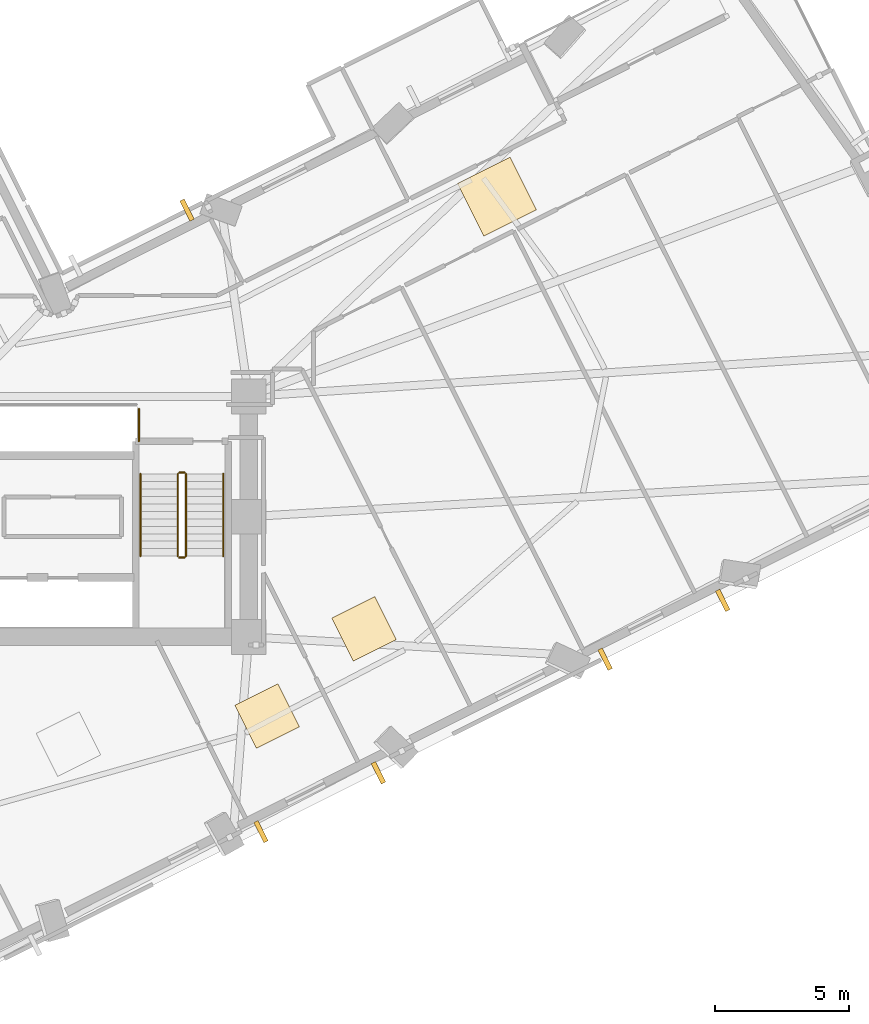
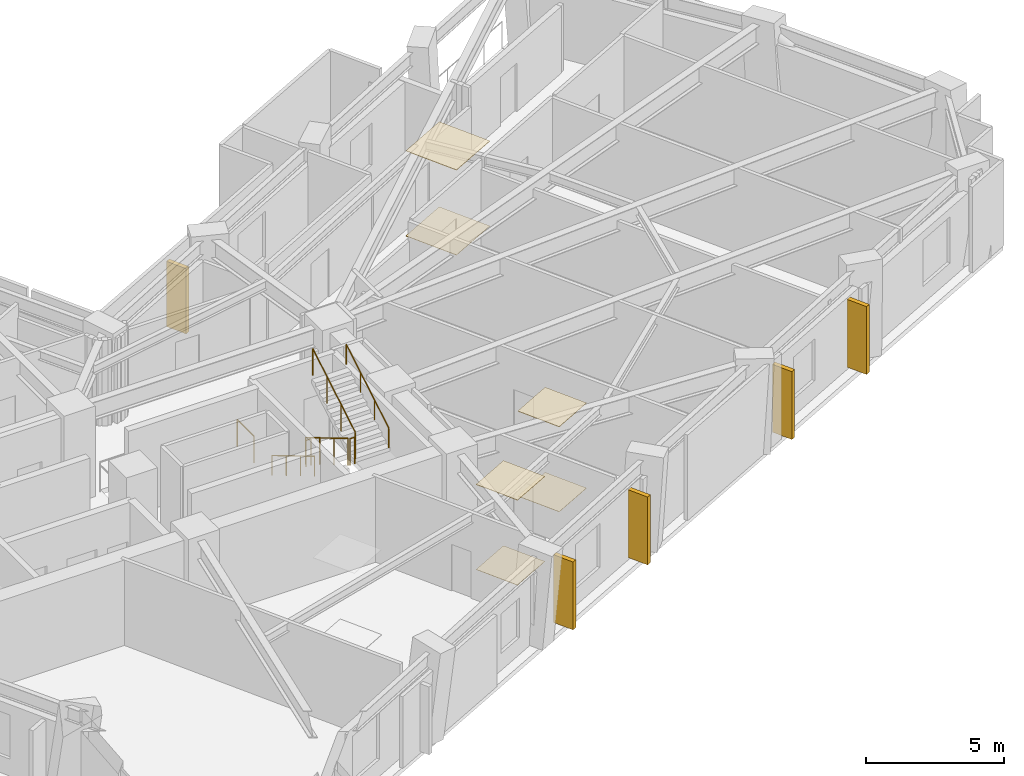
# One storey, part 14 of 16: 7 railings, 6 coverings, 5 shading devices.
"""IFC4 building model written with IfcOpenShell, lengths in metres."""

import ifcopenshell
import ifcopenshell.guid

model = None  # the IFC model being written
_history = None  # IfcOwnerHistory: only IFC2X3 demands one
_inside = {}  # id of a spatial element -> (the spatial element, [elements in it])
_under = {}  # id of a project, library or spatial element -> (it, [spatial elements below it])
_declared = {}  # id of a project -> (the project, [libraries it declares])
_typed = {}  # id of a type object -> (the type object, [elements of that type])
_made_of = {}  # id of a material, layer set ... -> (it, [elements and type objects made of it])


def new_model(schema):
    """Start an empty IFC model of exactly this schema.

    Asked for "IFC4X3", IfcOpenShell would pick the latest addendum, in which some entities
    have other attributes; the version numbers below select the first issue.
    IFC2X3 requires an IfcOwnerHistory on every rooted entity: one is made here for all.
    """
    global model, _history
    if schema == "IFC4X3":
        model = ifcopenshell.file(schema_version=(4, 3, 0, 0))
    else:
        model = ifcopenshell.file(schema=schema)
    _inside.clear()
    _under.clear()
    _declared.clear()
    _typed.clear()
    _made_of.clear()
    _history = None
    if model.schema == "IFC2X3":
        org = make("IfcOrganization", Name="unknown")
        user = make(
            "IfcPersonAndOrganization",
            ThePerson=make("IfcPerson", FamilyName="unknown"),
            TheOrganization=org,
        )
        app = make(
            "IfcApplication",
            ApplicationDeveloper=org,
            Version="unknown",
            ApplicationFullName="unknown",
            ApplicationIdentifier="unknown",
        )
        _history = make(
            "IfcOwnerHistory",
            OwningUser=user,
            OwningApplication=app,
            ChangeAction="ADDED",
            CreationDate=0,
        )
    return model


def make(cls, **values):
    """One entity of the class cls with the attributes given. An attribute that is None is left unset."""
    return model.create_entity(
        cls, **{name: value for name, value in values.items() if value is not None}
    )


def rooted(cls, **values):
    """An entity with a GlobalId (a new one), such as an element, a storey or a relation."""
    return make(cls, GlobalId=ifcopenshell.guid.new(), OwnerHistory=_history, **values)


def si_unit(unit_type, name, prefix=None):
    """IfcSIUnit, for example si_unit("LENGTHUNIT", "METRE", prefix="MILLI")."""
    return make("IfcSIUnit", UnitType=unit_type, Prefix=prefix, Name=name)


def assignment(units):
    """IfcUnitAssignment: the units of a project."""
    return None if units is None else make("IfcUnitAssignment", Units=units)


def point(xyz):
    """IfcCartesianPoint."""
    return None if xyz is None else make("IfcCartesianPoint", Coordinates=xyz)


def direction(xyz):
    """IfcDirection."""
    return None if xyz is None else make("IfcDirection", DirectionRatios=xyz)


def frame(location, z_axis=None, x_axis=None):
    """IfcAxis2Placement3D, a coordinate frame: its origin and axes. An axis left out is left unset."""
    return make(
        "IfcAxis2Placement3D",
        Location=point(location),
        Axis=direction(z_axis),
        RefDirection=direction(x_axis),
    )


def frame_2d(location, x_axis=None):
    """IfcAxis2Placement2D, a coordinate frame in the plane: its origin and x axis."""
    return make(
        "IfcAxis2Placement2D", Location=point(location), RefDirection=direction(x_axis)
    )


def origin():
    """The frame at (0, 0, 0) with its axes left unset."""
    return frame((0.0, 0.0, 0.0))


def origin_2d():
    """The frame at (0, 0) in the plane with its x axis left unset."""
    return frame_2d((0.0, 0.0))


def place(relative_to, where):
    """IfcLocalPlacement: puts the frame where relative to a parent placement (None: the world)."""
    return make(
        "IfcLocalPlacement", PlacementRelTo=relative_to, RelativePlacement=where
    )


def context(
    kind, dimensions, precision=None, world=None, true_north=None, identifier=None
):
    """IfcGeometricRepresentationContext, for example the 3D "Model" context."""
    return make(
        "IfcGeometricRepresentationContext",
        ContextIdentifier=identifier,
        ContextType=kind,
        CoordinateSpaceDimension=dimensions,
        Precision=precision,
        WorldCoordinateSystem=world,
        TrueNorth=true_north,
    )


def subcontext(parent, identifier, kind, view, scale=None):
    """IfcGeometricRepresentationSubContext, for example "Body" below "Model"."""
    return make(
        "IfcGeometricRepresentationSubContext",
        ContextIdentifier=identifier,
        ContextType=kind,
        ParentContext=parent,
        TargetScale=scale,
        TargetView=view,
    )


def project(units=None, contexts=None):
    """IfcProject with its units and contexts."""
    return rooted(
        "IfcProject",
        Name="project",
        RepresentationContexts=contexts,
        UnitsInContext=assignment(units),
    )


def spatial(cls, under=None, at=None, **own):
    """A site, building, storey or space (cls), placed at a placement, below another one or the project."""
    s = rooted(cls, ObjectPlacement=at, **own)
    if under is not None:
        _under.setdefault(under.id(), (under, []))[1].append(s)
    return s


def profile(cls, at=None, kind="AREA", **sizes):
    """A parametric profile (cls). Its sizes go by their IFC names, for example OverallWidth=200.0."""
    return make(cls, ProfileType=kind, Position=at, **sizes)


def rectangle(**sizes):
    """IfcRectangleProfileDef."""
    return profile("IfcRectangleProfileDef", **sizes)


def circle(**sizes):
    """IfcCircleProfileDef."""
    return profile("IfcCircleProfileDef", **sizes)


def extrude(swept, where, along, depth):
    """IfcExtrudedAreaSolid: the profile swept, set in the frame where, extruded along a direction by depth."""
    return make(
        "IfcExtrudedAreaSolid",
        SweptArea=swept,
        Position=where,
        ExtrudedDirection=direction(along),
        Depth=depth,
    )


def shape(context_of_items, identifier, shape_type, items):
    """IfcShapeRepresentation: the items that make up one representation, for example the "Body"."""
    return make(
        "IfcShapeRepresentation",
        ContextOfItems=context_of_items,
        RepresentationIdentifier=identifier,
        RepresentationType=shape_type,
        Items=items,
    )


def material(Name=None, Category=None):
    """IfcMaterial."""
    return make("IfcMaterial", Name=Name, Category=Category)


def layer(
    of_material, thickness, ventilated=None, Name=None, Category=None, Priority=None
):
    """IfcMaterialLayer: one layer of a wall or slab, of a material (None: an air gap)."""
    return make(
        "IfcMaterialLayer",
        Material=of_material,
        LayerThickness=thickness,
        IsVentilated=ventilated,
        Name=Name,
        Category=Category,
        Priority=Priority,
    )


def layer_set(layers, Name=None):
    """IfcMaterialLayerSet."""
    return make("IfcMaterialLayerSet", MaterialLayers=layers, LayerSetName=Name)


def made_of(thing, what):
    """Note that an element or type object is made of a material, layer set ...; save() writes the relation."""
    if what is not None:
        _made_of.setdefault(what.id(), (what, []))[1].append(thing)
    return thing


def type_object(cls, material=None, **own):
    """A type object (cls), such as IfcWallType, which elements share."""
    return made_of(rooted(cls, **own), material)


def element(
    cls,
    number,
    at=None,
    inside=None,
    cuts=None,
    type_object=None,
    material=None,
    context=None,
    identifier="Body",
    shape_type=None,
    held_by="IfcProductDefinitionShape",
    body=None,
    shapes=None,
    **own,
):
    """One element of the class cls, such as IfcWall. Its Tag is "e" and its number.

    at: its placement. inside: the storey or other place that contains it. cuts: it is an
    opening in that element (IfcRelVoidsElement). A single representation is given by context,
    identifier, shape_type and body (its items); several are given by shapes. held_by: the class
    of the entity that holds the representations. save() writes the other relations.
    """
    e = rooted(cls, Tag="e%d" % number, ObjectPlacement=at, **own)
    if body is not None:
        shapes = [shape(context, identifier, shape_type, body)]
    if shapes is not None:
        e.Representation = make(held_by, Representations=shapes)
    if inside is not None:
        _inside.setdefault(inside.id(), (inside, []))[1].append(e)
    if cuts is not None:
        rooted(
            "IfcRelVoidsElement", RelatingBuildingElement=cuts, RelatedOpeningElement=e
        )
    if type_object is not None:
        _typed.setdefault(type_object.id(), (type_object, []))[1].append(e)
    return made_of(e, material)


def aggregate(whole, parts):
    """IfcRelAggregates: a whole, such as a stair, and the parts it consists of."""
    return rooted("IfcRelAggregates", RelatingObject=whole, RelatedObjects=parts)


def save(model, path):
    """Write the relations noted so far, then the file.

    IfcRelAggregates (storeys below a building ...), IfcRelContainedInSpatialStructure (elements
    in a storey), IfcRelDefinesByType, IfcRelAssociatesMaterial and IfcRelDeclares: one each for
    every whole, place, type object, material and project.
    """
    for whole, parts in _under.values():
        aggregate(whole, parts)
    for where, things in _inside.values():
        rooted(
            "IfcRelContainedInSpatialStructure",
            RelatedElements=things,
            RelatingStructure=where,
        )
    for kind, things in _typed.values():
        rooted("IfcRelDefinesByType", RelatedObjects=things, RelatingType=kind)
    for what, things in _made_of.values():
        rooted("IfcRelAssociatesMaterial", RelatedObjects=things, RelatingMaterial=what)
    for by, libraries in _declared.values():
        rooted("IfcRelDeclares", RelatingContext=by, RelatedDefinitions=libraries)
    model.write(path)


model = new_model("IFC4")

# Units and contexts
model_context = context("Model", 3, precision=1e-05, world=origin(), true_north=direction((0.0, 1.0)))
body_context = subcontext(model_context, "Body", "Model", "MODEL_VIEW")
ifc_project = project(units=[si_unit("LENGTHUNIT", "METRE"), si_unit("AREAUNIT", "SQUARE_METRE"), si_unit("VOLUMEUNIT", "CUBIC_METRE"), si_unit("PLANEANGLEUNIT", "RADIAN"), si_unit("MASSUNIT", "GRAM", prefix="KILO")], contexts=[model_context])

# Site, building, storey
site_placement = place(None, origin())
site = spatial("IfcSite", under=ifc_project, at=site_placement, CompositionType="ELEMENT")
building_placement = place(site_placement, origin())
building = spatial("IfcBuilding", under=site, at=building_placement, Name="Gaonmaruhae Medical Tower", CompositionType="ELEMENT")
storey_placement = place(building_placement, frame((0.0, 0.0, 136.39990234375)))
storey = spatial("IfcBuildingStorey", under=building, at=storey_placement, Name="L32", CompositionType="ELEMENT", Elevation=136.39990234375)

# Coverings
ifc_material_1 = material(Name="Acoustic mineral ceiling tile", Category="finish")
ifc_layer_1 = layer(ifc_material_1, 0.02490234375)
ifc_layer_set_1 = layer_set([ifc_layer_1], Name="Acoustic mineral ceiling tile")
covering_type_1 = type_object("IfcCoveringType", Name="CLG-01 Antimicrobial Acoustic Mineral Ceiling", PredefinedType="CEILING", material=ifc_layer_set_1)
covering_1_placement = place(storey_placement, frame((44.890625, 24.27490234375, 3.755126953125), z_axis=(0.0, 0.0, 1.0), x_axis=(0.894154236839, 0.447759087839, 0.0)))
element("IfcCovering", 1, at=covering_1_placement, inside=storey, type_object=covering_type_1, Name="L32 Clinical Corridor Acoustic Ceiling", PredefinedType="CEILING", context=body_context, shape_type="SweptSolid", body=[
    extrude(rectangle(XDim=2.199951171875, YDim=2.199951171875, at=origin_2d()), origin(), (0.0, 0.0, 1.0), 0.02490234375),
])
for number, where, z_axis, x_axis, name in (
    (2, (36.29150390625, 4.841552734375, 3.755126953125), (0.0, 0.0, 1.0), (0.894154236839, 0.447759087839, 0.0), "L32 Clinical Room Acoustic Ceiling 3"),
    (3, (39.91650390625, 8.099365234375, 3.755126953125), (0.0, 0.0, 1.0), (0.894154236839, 0.447759087839, 0.0), "L32 Clinical Room Acoustic Ceiling 4"),
):
    element("IfcCovering", number, at=place(storey_placement, frame(where, z_axis=z_axis, x_axis=x_axis)), inside=storey, type_object=covering_type_1, Name=name, PredefinedType="CEILING", context=body_context, shape_type="SweptSolid", body=[
        extrude(rectangle(XDim=1.800048828125, YDim=1.800048828125, at=origin_2d()), origin(), (0.0, 0.0, 1.0), 0.02490234375),
    ])
ifc_material_2 = material(Name="Seamless clinical vinyl flooring", Category="finish")
ifc_layer_2 = layer(ifc_material_2, 0.014892578125)
ifc_layer_set_2 = layer_set([ifc_layer_2], Name="Seamless clinical vinyl flooring")
covering_type_2 = type_object("IfcCoveringType", Name="FLR-01 Seamless Clinical Antistatic Vinyl Flooring", PredefinedType="FLOORING", material=ifc_layer_set_2)
covering_2_placement = place(storey_placement, frame((44.890625, 24.27490234375, 0.00048828125), z_axis=(0.0, 0.0, 1.0), x_axis=(0.894154236839, 0.447759087839, 0.0)))
element("IfcCovering", 4, at=covering_2_placement, inside=storey, type_object=covering_type_2, Name="L32 Clinical Corridor Vinyl Flooring", PredefinedType="FLOORING", context=body_context, shape_type="SweptSolid", body=[
    extrude(rectangle(XDim=2.199951171875, YDim=2.199951171875, at=origin_2d()), origin(), (0.0, 0.0, 1.0), 0.014892578125),
])
for number, where, z_axis, x_axis, name in (
    (5, (36.29150390625, 4.841552734375, 0.0), (0.0, 0.0, 1.0), (0.894154236839, 0.447759087839, 0.0), "L32 Clinical Room Vinyl Flooring 3"),
    (6, (39.91650390625, 8.099365234375, 0.0), (0.0, 0.0, 1.0), (0.894154236839, 0.447759087839, 0.0), "L32 Clinical Room Vinyl Flooring 4"),
):
    element("IfcCovering", number, at=place(storey_placement, frame(where, z_axis=z_axis, x_axis=x_axis)), inside=storey, type_object=covering_type_2, Name=name, PredefinedType="FLOORING", context=body_context, shape_type="SweptSolid", body=[
        extrude(rectangle(XDim=1.800048828125, YDim=1.800048828125, at=origin_2d()), origin(), (0.0, 0.0, 1.0), 0.014892578125),
    ])

# Railings
ifc_material_3 = material(Name="Stainless steel 304 handrail", Category="steel")
railing_type_1 = type_object("IfcRailingType", Name="HR-092 Continuous Stainless Steel Stair Handrail", PredefinedType="HANDRAIL", material=ifc_material_3)
railing_1_placement = place(storey_placement, frame((31.550048828125, 13.89990234375, 0.166748046875)))
element("IfcRailing", 7, at=railing_1_placement, inside=storey, type_object=railing_type_1, Name="L32 ST-02 stair handrail 1", PredefinedType="HANDRAIL", context=body_context, shape_type="SweptSolid", body=[
    extrude(circle(Radius=0.02392578125, at=origin_2d()), frame((0.0, 0.0, 0.8759765625), z_axis=(0.0, -0.859290745958, 0.51148745235), x_axis=(1.0, 0.0, 0.0)), (0.0, 0.0, 1.0), 3.584228515625),
    extrude(circle(Radius=0.02099609375, at=origin_2d()), origin(), (0.0, 0.0, 1.0), 0.851806640625),
    extrude(circle(Radius=0.02099609375, at=origin_2d()), frame((0.0, -1.026611328125, 0.611083984375)), (0.0, 0.0, 1.0), 0.851806640625),
    extrude(circle(Radius=0.02099609375, at=origin_2d()), frame((0.0, -2.05322265625, 1.22216796875)), (0.0, 0.0, 1.0), 0.851806640625),
    extrude(circle(Radius=0.02099609375, at=origin_2d()), frame((0.0, -3.079833984375, 1.833251953125)), (0.0, 0.0, 1.0), 0.851806640625),
])
railing_2_placement = place(storey_placement, frame((34.64990234375, 10.820068359375, 2.166748046875)))
element("IfcRailing", 8, at=railing_2_placement, inside=storey, type_object=railing_type_1, Name="L32 ST-02 stair handrail 2", PredefinedType="HANDRAIL", context=body_context, shape_type="SweptSolid", body=[
    extrude(circle(Radius=0.02392578125, at=origin_2d()), frame((0.0, 0.0, 0.8759765625), z_axis=(0.0, 0.859290745958, 0.51148745235), x_axis=(-1.0, 0.0, 0.0)), (0.0, 0.0, 1.0), 3.584228515625),
    extrude(circle(Radius=0.02099609375, at=origin_2d()), origin(), (0.0, 0.0, 1.0), 0.851806640625),
    extrude(circle(Radius=0.02099609375, at=origin_2d()), frame((0.0, 1.026611328125, 0.611083984375)), (0.0, 0.0, 1.0), 0.851806640625),
    extrude(circle(Radius=0.02099609375, at=origin_2d()), frame((0.0, 2.05322265625, 1.22216796875)), (0.0, 0.0, 1.0), 0.851806640625),
    extrude(circle(Radius=0.02099609375, at=origin_2d()), frame((0.0, 3.079833984375, 1.833251953125)), (0.0, 0.0, 1.0), 0.851806640625),
])

# Shading devices
ifc_material_4 = material(Name="Pigmented coral precast concrete C45/55", Category="concrete")
shading_device_type = type_object("IfcShadingDeviceType", Name="SD-FIN1 Tower Vertical Coral Precast Shading Fin", PredefinedType="USERDEFINED", material=ifc_material_4)
for number, where, z_axis, x_axis, name in (
    (9, (40.45263671875, 2.7158203125, 0.08251953125), (0.0, 0.0, 1.0), (-0.894162051574, -0.447743481835, 0.0), "L32 Vertical Coral Precast Shading Fin S03"),
    (10, (36.05859375, 0.515380859375, 0.08251953125), (0.0, 0.0, 1.0), (-0.894162051574, -0.447743481835, 0.0), "L32 Vertical Coral Precast Shading Fin S03B"),
    (11, (53.335693359375, 9.167236328125, 0.08251953125), (0.0, 0.0, 1.0), (-0.894154236839, -0.447759087839, 0.0), "L32 Vertical Coral Precast Shading Fin S05"),
    (12, (48.938232421875, 6.965087890625, 0.08251953125), (0.0, 0.0, 1.0), (-0.894154236839, -0.447759087839, 0.0), "L32 Vertical Coral Precast Shading Fin S05B"),
):
    element("IfcShadingDevice", number, at=place(storey_placement, frame(where, z_axis=z_axis, x_axis=x_axis)), inside=storey, type_object=shading_device_type, Name=name, ObjectType="FIN", PredefinedType="USERDEFINED", context=body_context, shape_type="SweptSolid", body=[
        extrude(rectangle(XDim=0.179931640625, YDim=0.85009765625, at=origin_2d()), origin(), (0.0, 0.0, 1.0), 3.0),
    ])
shading_device_placement = place(storey_placement, frame((33.294189453125, 23.768798828125, 0.0400390625), z_axis=(0.0, 0.0, 1.0), x_axis=(0.894154236839, 0.447759087839, 0.0)))
element("IfcShadingDevice", 13, at=shading_device_placement, inside=storey, type_object=shading_device_type, Name="L32 Vertical Coral Precast Shading Fin EN03B", ObjectType="FIN", PredefinedType="USERDEFINED", context=body_context, shape_type="SweptSolid", body=[
    extrude(rectangle(XDim=0.179931640625, YDim=0.85009765625, at=origin_2d()), origin(), (0.0, 0.0, 1.0), 2.885009765625),
])

# Railings
ifc_material_5 = material(Name="Stainless steel 304 balustrade", Category="steel")
railing_type_2 = type_object("IfcRailingType", Name="SG-112 Stair Well & Ramp Void Safety Balustrade", PredefinedType="BALUSTRADE", material=ifc_material_5)
railing_3_placement = place(storey_placement, frame((32.949951171875, 13.89990234375, 0.166748046875)))
element("IfcRailing", 14, at=railing_3_placement, inside=storey, type_object=railing_type_2, Name="L32 ST-02 stair guard 1", PredefinedType="BALUSTRADE", context=body_context, shape_type="SweptSolid", body=[
    extrude(circle(Radius=0.02392578125, at=origin_2d()), frame((0.0, 0.0, 1.17578125), z_axis=(0.0, -0.859290745958, 0.51148745235), x_axis=(1.0, 0.0, 0.0)), (0.0, 0.0, 1.0), 3.584228515625),
    extrude(circle(Radius=0.02099609375, at=origin_2d()), origin(), (0.0, 0.0, 1.0), 1.15185546875),
    extrude(circle(Radius=0.02099609375, at=origin_2d()), frame((0.0, -1.026611328125, 0.611083984375)), (0.0, 0.0, 1.0), 1.15185546875),
    extrude(circle(Radius=0.02099609375, at=origin_2d()), frame((0.0, -2.05322265625, 1.22216796875)), (0.0, 0.0, 1.0), 1.15185546875),
    extrude(circle(Radius=0.02099609375, at=origin_2d()), frame((0.0, -3.079833984375, 1.833251953125)), (0.0, 0.0, 1.0), 1.15185546875),
])
railing_4_placement = place(storey_placement, frame((33.0, 10.77001953125, 2.0)))
element("IfcRailing", 15, at=railing_4_placement, inside=storey, type_object=railing_type_2, Name="L32 ST-02 stair guard 2", PredefinedType="BALUSTRADE", context=body_context, shape_type="SweptSolid", body=[
    extrude(circle(Radius=0.02392578125, at=origin_2d()), frame((0.0, 0.0, 1.17578125), z_axis=(1.0, 0.0, 0.0), x_axis=(0.0, 1.0, 0.0)), (0.0, 0.0, 1.0), 0.199951171875),
    extrude(circle(Radius=0.02099609375, at=origin_2d()), origin(), (0.0, 0.0, 1.0), 1.15185546875),
    extrude(circle(Radius=0.02099609375, at=origin_2d()), frame((0.199951171875, 0.0, 0.0)), (0.0, 0.0, 1.0), 1.15185546875),
])
railing_5_placement = place(storey_placement, frame((33.25, 10.820068359375, 2.166748046875)))
element("IfcRailing", 16, at=railing_5_placement, inside=storey, type_object=railing_type_2, Name="L32 ST-02 stair guard 3", PredefinedType="BALUSTRADE", context=body_context, shape_type="SweptSolid", body=[
    extrude(circle(Radius=0.02392578125, at=origin_2d()), frame((0.0, 0.0, 1.17578125), z_axis=(0.0, 0.859290745958, 0.51148745235), x_axis=(-1.0, 0.0, 0.0)), (0.0, 0.0, 1.0), 3.584228515625),
    extrude(circle(Radius=0.02099609375, at=origin_2d()), origin(), (0.0, 0.0, 1.0), 1.15185546875),
    extrude(circle(Radius=0.02099609375, at=origin_2d()), frame((0.0, 1.026611328125, 0.611083984375)), (0.0, 0.0, 1.0), 1.15185546875),
    extrude(circle(Radius=0.02099609375, at=origin_2d()), frame((0.0, 2.05322265625, 1.22216796875)), (0.0, 0.0, 1.0), 1.15185546875),
    extrude(circle(Radius=0.02099609375, at=origin_2d()), frame((0.0, 3.079833984375, 1.833251953125)), (0.0, 0.0, 1.0), 1.15185546875),
])
railing_6_placement = place(storey_placement, frame((33.0, 13.949951171875, 0.0)))
element("IfcRailing", 17, at=railing_6_placement, inside=storey, type_object=railing_type_2, Name="L32 ST-02 stair guard 4", PredefinedType="BALUSTRADE", context=body_context, shape_type="SweptSolid", body=[
    extrude(circle(Radius=0.02392578125, at=origin_2d()), frame((0.0, 0.0, 1.17578125), z_axis=(1.0, 0.0, 0.0), x_axis=(0.0, 1.0, 0.0)), (0.0, 0.0, 1.0), 0.199951171875),
    extrude(circle(Radius=0.02099609375, at=origin_2d()), origin(), (0.0, 0.0, 1.0), 1.15185546875),
    extrude(circle(Radius=0.02099609375, at=origin_2d()), frame((0.199951171875, 0.0, 0.0)), (0.0, 0.0, 1.0), 1.15185546875),
])
railing_7_placement = place(storey_placement, frame((31.4951171875, 16.330078125, 0.0)))
element("IfcRailing", 18, at=railing_7_placement, inside=storey, type_object=railing_type_2, Name="L32 Shaft Edge Safety Guard 16", PredefinedType="BALUSTRADE", context=body_context, shape_type="SweptSolid", body=[
    extrude(circle(Radius=0.02392578125, at=origin_2d()), frame((0.0, 0.0, 1.17578125), z_axis=(0.0, -1.0, 0.0), x_axis=(1.0, 0.0, 0.0)), (0.0, 0.0, 1.0), 1.2099609375),
    extrude(circle(Radius=0.02099609375, at=origin_2d()), origin(), (0.0, 0.0, 1.0), 1.15185546875),
    extrude(circle(Radius=0.02099609375, at=origin_2d()), frame((0.0, -1.2099609375, 0.0)), (0.0, 0.0, 1.0), 1.15185546875),
])

save(model, "model.ifc")
